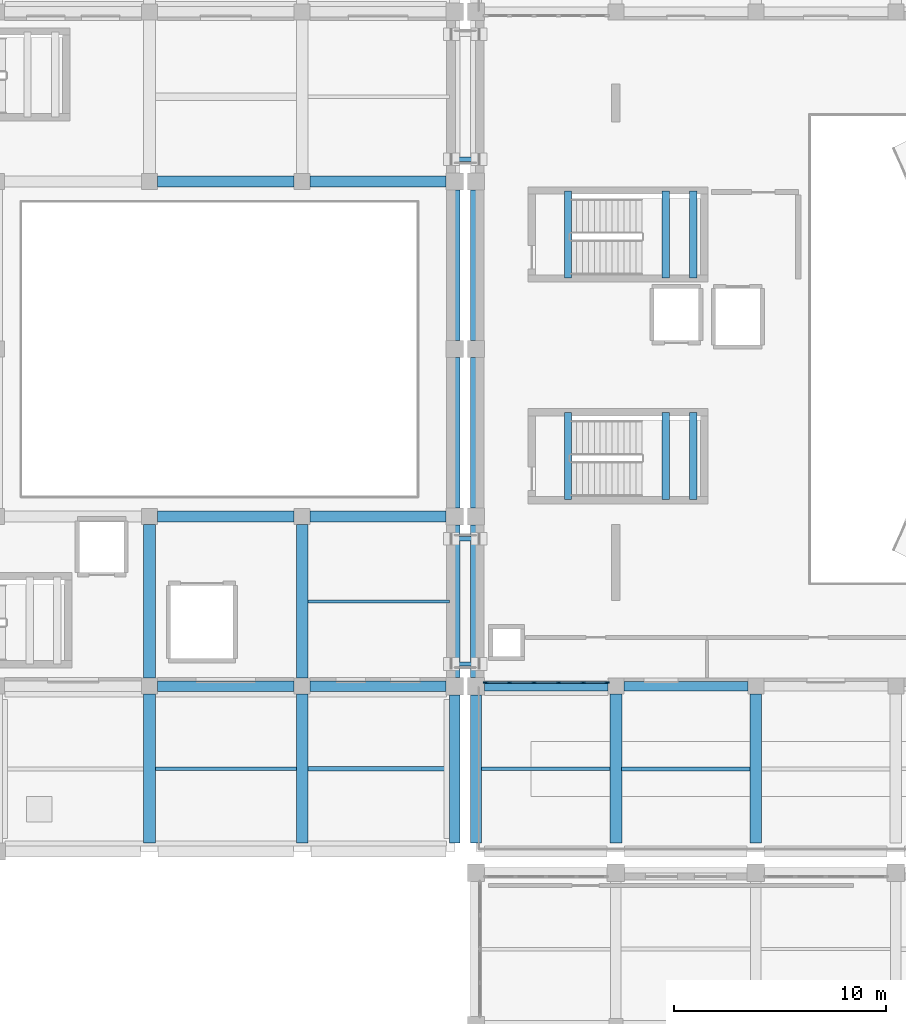
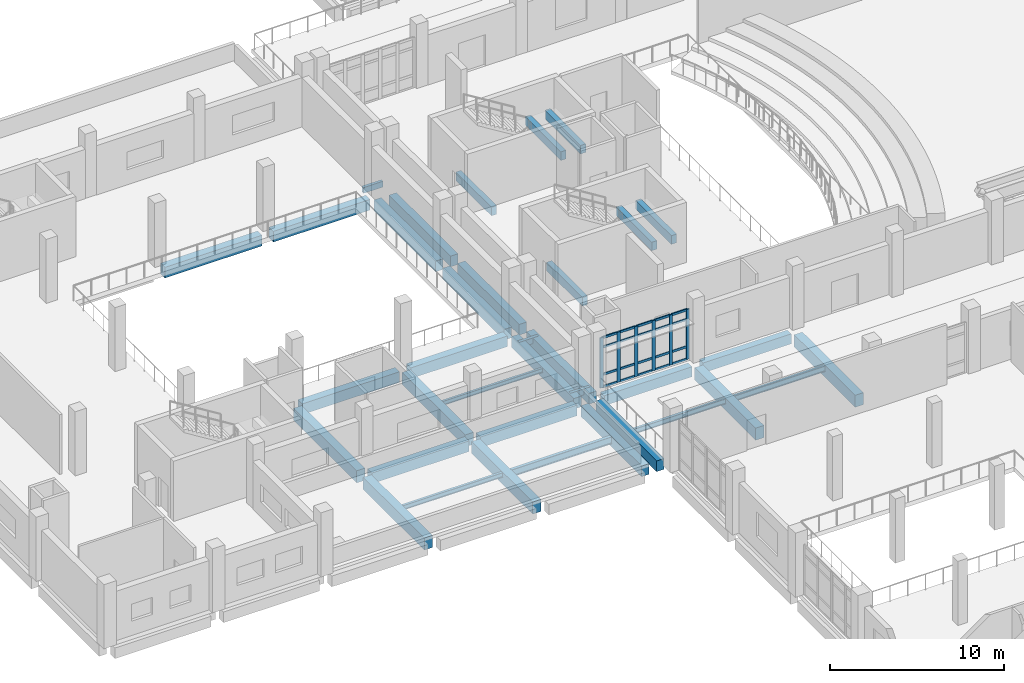
# One storey, part 8 of 54: 36 beams, 26 members, 1 element without a shape of its own.
"""IFC4 building model written with IfcOpenShell, lengths in metres."""

from ifc_helpers import new_model, si_unit, direction, frame, origin, origin_2d, place, context, subcontext, project, spatial, rectangle, hollow_rectangle, i_section, extrude, material, layer, layer_set, material_profile, profile_set, type_object, element, aggregate, save


model = new_model("IFC4")

# Units and contexts
model_context = context("Model", 3, precision=1e-05, world=origin(), true_north=direction((0.0, 1.0)))
body_context = subcontext(model_context, "Body", "Model", "MODEL_VIEW")
ifc_project = project(units=[si_unit("LENGTHUNIT", "METRE"), si_unit("AREAUNIT", "SQUARE_METRE"), si_unit("VOLUMEUNIT", "CUBIC_METRE"), si_unit("PLANEANGLEUNIT", "RADIAN"), si_unit("MASSUNIT", "GRAM", prefix="KILO")], contexts=[model_context])

# Site, building, storey
site_placement = place(None, origin())
site = spatial("IfcSite", under=ifc_project, at=site_placement, CompositionType="ELEMENT")
building_placement = place(site_placement, origin())
building = spatial("IfcBuilding", under=site, at=building_placement, Name="Kelarvand Opera House", CompositionType="ELEMENT")
storey_placement = place(building_placement, frame((0.0, 0.0, 15.0)))
storey = spatial("IfcBuildingStorey", under=building, at=storey_placement, Name="L03", CompositionType="ELEMENT", Elevation=15.0)

# Curtain wall, members
ifc_material_1 = material(Name="Thermally broken aluminium and low-E glazing", Category="aluminium")
ifc_layer = layer(ifc_material_1, 0.219970703125, Name="Thermally broken aluminium and low-E glazing", Category="aluminium")
ifc_layer_set = layer_set([ifc_layer], Name="Thermally broken aluminium and low-E glazing")
curtain_wall_type = type_object("IfcCurtainWallType", Name="Unitised Low-E Curtain Wall 5795x3520 Mod 1150 CWF-08", PredefinedType="USERDEFINED", material=ifc_layer_set)
curtain_wall_placement = place(storey_placement, origin())
curtain_wall = element("IfcCurtainWall", 1, at=curtain_wall_placement, inside=storey, type_object=curtain_wall_type, Name="V1 L03 Curtain Wall CWF-08 (24)", ObjectType="UNITISED CURTAIN WALL", PredefinedType="USERDEFINED")
ifc_material_2 = material(Name="Thermally broken anodised aluminium", Category="aluminium")
ifc_material_profile_1 = material_profile(ifc_material_2, rectangle(XDim=0.074951171875, YDim=0.219970703125, at=origin_2d()), Name="ALU MULLION 75x220", Category="aluminium")
ifc_profile_set_1 = profile_set([ifc_material_profile_1], Name="Thermally broken anodised aluminium")
member_type_1 = type_object("IfcMemberType", Name="Curtain Wall Mullion 75x220 Heavy Plaza", PredefinedType="MULLION", material=ifc_profile_set_1)
member_1_placement = place(storey_placement, frame((95.177490234375, 46.780029296875, 0.0), z_axis=(0.0, 0.0, 1.0), x_axis=(0.0, -1.0, 0.0)))
member_1 = element("IfcMember", 2, at=member_1_placement, type_object=member_type_1, Name="CWF-08 mullion 1", PredefinedType="MULLION", context=body_context, shape_type="SweptSolid", body=[
    extrude(rectangle(XDim=0.074951171875, YDim=0.219970703125, at=origin_2d()), origin(), (0.0, 0.0, 1.0), 3.52001953125),
])
member_2_placement = place(storey_placement, frame((94.055908203125, 46.780029296875, 0.0), z_axis=(0.0, 0.0, 1.0), x_axis=(0.0, -1.0, 0.0)))
member_2 = element("IfcMember", 3, at=member_2_placement, type_object=member_type_1, Name="CWF-08 mullion 2", PredefinedType="MULLION", context=body_context, shape_type="SweptSolid", body=[
    extrude(rectangle(XDim=0.074951171875, YDim=0.219970703125, at=origin_2d()), origin(), (0.0, 0.0, 1.0), 3.52001953125),
])
member_3_placement = place(storey_placement, frame((92.89697265625, 46.780029296875, 0.0), z_axis=(0.0, 0.0, 1.0), x_axis=(0.0, -1.0, 0.0)))
member_3 = element("IfcMember", 4, at=member_3_placement, type_object=member_type_1, Name="CWF-08 mullion 3", PredefinedType="MULLION", context=body_context, shape_type="SweptSolid", body=[
    extrude(rectangle(XDim=0.074951171875, YDim=0.219970703125, at=origin_2d()), origin(), (0.0, 0.0, 1.0), 3.52001953125),
])
member_4_placement = place(storey_placement, frame((91.738037109375, 46.780029296875, 0.0), z_axis=(0.0, 0.0, 1.0), x_axis=(0.0, -1.0, 0.0)))
member_4 = element("IfcMember", 5, at=member_4_placement, type_object=member_type_1, Name="CWF-08 mullion 4", PredefinedType="MULLION", context=body_context, shape_type="SweptSolid", body=[
    extrude(rectangle(XDim=0.074951171875, YDim=0.219970703125, at=origin_2d()), origin(), (0.0, 0.0, 1.0), 3.52001953125),
])
member_5_placement = place(storey_placement, frame((90.5791015625, 46.780029296875, 0.0), z_axis=(0.0, 0.0, 1.0), x_axis=(0.0, -1.0, 0.0)))
member_5 = element("IfcMember", 6, at=member_5_placement, type_object=member_type_1, Name="CWF-08 mullion 5", PredefinedType="MULLION", context=body_context, shape_type="SweptSolid", body=[
    extrude(rectangle(XDim=0.074951171875, YDim=0.219970703125, at=origin_2d()), origin(), (0.0, 0.0, 1.0), 3.52001953125),
])
member_6_placement = place(storey_placement, frame((89.45751953125, 46.780029296875, 0.0), z_axis=(0.0, 0.0, 1.0), x_axis=(0.0, -1.0, 0.0)))
member_6 = element("IfcMember", 7, at=member_6_placement, type_object=member_type_1, Name="CWF-08 mullion 6", PredefinedType="MULLION", context=body_context, shape_type="SweptSolid", body=[
    extrude(rectangle(XDim=0.074951171875, YDim=0.219970703125, at=origin_2d()), origin(), (0.0, 0.0, 1.0), 3.52001953125),
])
ifc_material_profile_2 = material_profile(ifc_material_2, rectangle(XDim=0.074951171875, YDim=0.159912109375, at=origin_2d()), Name="ALU TRANSOM 75x160", Category="aluminium")
ifc_profile_set_2 = profile_set([ifc_material_profile_2], Name="Thermally broken anodised aluminium")
member_type_2 = type_object("IfcMemberType", Name="Curtain Wall Transom 75x160 Heavy Plaza", PredefinedType="USERDEFINED", material=ifc_profile_set_2)
member_7_placement = place(storey_placement, frame((95.139892578125, 46.780029296875, 0.03759765625), z_axis=(-1.0, 0.0, 0.0), x_axis=(0.0, -1.0, 0.0)))
member_7 = element("IfcMember", 8, at=member_7_placement, type_object=member_type_2, Name="CWF-08 transom 1.1", ObjectType="TRANSOM", PredefinedType="USERDEFINED", context=body_context, shape_type="SweptSolid", body=[
    extrude(rectangle(XDim=0.074951171875, YDim=0.159912109375, at=origin_2d()), origin(), (0.0, 0.0, 1.0), 1.04638671875),
])
member_8_placement = place(storey_placement, frame((95.139892578125, 46.780029296875, 0.89990234375), z_axis=(-1.0, 0.0, 0.0), x_axis=(0.0, -1.0, 0.0)))
member_8 = element("IfcMember", 9, at=member_8_placement, type_object=member_type_2, Name="CWF-08 transom 1.2", ObjectType="TRANSOM", PredefinedType="USERDEFINED", context=body_context, shape_type="SweptSolid", body=[
    extrude(rectangle(XDim=0.074951171875, YDim=0.159912109375, at=origin_2d()), origin(), (0.0, 0.0, 1.0), 1.04638671875),
])
member_9_placement = place(storey_placement, frame((95.139892578125, 46.780029296875, 2.820068359375), z_axis=(-1.0, 0.0, 0.0), x_axis=(0.0, -1.0, 0.0)))
member_9 = element("IfcMember", 10, at=member_9_placement, type_object=member_type_2, Name="CWF-08 transom 1.3", ObjectType="TRANSOM", PredefinedType="USERDEFINED", context=body_context, shape_type="SweptSolid", body=[
    extrude(rectangle(XDim=0.074951171875, YDim=0.159912109375, at=origin_2d()), origin(), (0.0, 0.0, 1.0), 1.04638671875),
])
member_10_placement = place(storey_placement, frame((95.139892578125, 46.780029296875, 3.482421875), z_axis=(-1.0, 0.0, 0.0), x_axis=(0.0, -1.0, 0.0)))
member_10 = element("IfcMember", 11, at=member_10_placement, type_object=member_type_2, Name="CWF-08 transom 1.4", ObjectType="TRANSOM", PredefinedType="USERDEFINED", context=body_context, shape_type="SweptSolid", body=[
    extrude(rectangle(XDim=0.074951171875, YDim=0.159912109375, at=origin_2d()), origin(), (0.0, 0.0, 1.0), 1.04638671875),
])
member_11_placement = place(storey_placement, frame((94.0185546875, 46.780029296875, 0.03759765625), z_axis=(-1.0, 0.0, 0.0), x_axis=(0.0, -1.0, 0.0)))
member_11 = element("IfcMember", 12, at=member_11_placement, type_object=member_type_2, Name="CWF-08 transom 2.1", ObjectType="TRANSOM", PredefinedType="USERDEFINED", context=body_context, shape_type="SweptSolid", body=[
    extrude(rectangle(XDim=0.074951171875, YDim=0.159912109375, at=origin_2d()), origin(), (0.0, 0.0, 1.0), 1.083984375),
])
member_12_placement = place(storey_placement, frame((94.0185546875, 46.780029296875, 0.89990234375), z_axis=(-1.0, 0.0, 0.0), x_axis=(0.0, -1.0, 0.0)))
member_12 = element("IfcMember", 13, at=member_12_placement, type_object=member_type_2, Name="CWF-08 transom 2.2", ObjectType="TRANSOM", PredefinedType="USERDEFINED", context=body_context, shape_type="SweptSolid", body=[
    extrude(rectangle(XDim=0.074951171875, YDim=0.159912109375, at=origin_2d()), origin(), (0.0, 0.0, 1.0), 1.083984375),
])
member_13_placement = place(storey_placement, frame((94.0185546875, 46.780029296875, 2.820068359375), z_axis=(-1.0, 0.0, 0.0), x_axis=(0.0, -1.0, 0.0)))
member_13 = element("IfcMember", 14, at=member_13_placement, type_object=member_type_2, Name="CWF-08 transom 2.3", ObjectType="TRANSOM", PredefinedType="USERDEFINED", context=body_context, shape_type="SweptSolid", body=[
    extrude(rectangle(XDim=0.074951171875, YDim=0.159912109375, at=origin_2d()), origin(), (0.0, 0.0, 1.0), 1.083984375),
])
member_14_placement = place(storey_placement, frame((94.0185546875, 46.780029296875, 3.482421875), z_axis=(-1.0, 0.0, 0.0), x_axis=(0.0, -1.0, 0.0)))
member_14 = element("IfcMember", 15, at=member_14_placement, type_object=member_type_2, Name="CWF-08 transom 2.4", ObjectType="TRANSOM", PredefinedType="USERDEFINED", context=body_context, shape_type="SweptSolid", body=[
    extrude(rectangle(XDim=0.074951171875, YDim=0.159912109375, at=origin_2d()), origin(), (0.0, 0.0, 1.0), 1.083984375),
])
member_15_placement = place(storey_placement, frame((92.859619140625, 46.780029296875, 0.03759765625), z_axis=(-1.0, 0.0, 0.0), x_axis=(0.0, -1.0, 0.0)))
member_15 = element("IfcMember", 16, at=member_15_placement, type_object=member_type_2, Name="CWF-08 transom 3.1", ObjectType="TRANSOM", PredefinedType="USERDEFINED", context=body_context, shape_type="SweptSolid", body=[
    extrude(rectangle(XDim=0.074951171875, YDim=0.159912109375, at=origin_2d()), origin(), (0.0, 0.0, 1.0), 1.084228515625),
])
member_16_placement = place(storey_placement, frame((92.859619140625, 46.780029296875, 0.89990234375), z_axis=(-1.0, 0.0, 0.0), x_axis=(0.0, -1.0, 0.0)))
member_16 = element("IfcMember", 17, at=member_16_placement, type_object=member_type_2, Name="CWF-08 transom 3.2", ObjectType="TRANSOM", PredefinedType="USERDEFINED", context=body_context, shape_type="SweptSolid", body=[
    extrude(rectangle(XDim=0.074951171875, YDim=0.159912109375, at=origin_2d()), origin(), (0.0, 0.0, 1.0), 1.084228515625),
])
member_17_placement = place(storey_placement, frame((92.859619140625, 46.780029296875, 2.820068359375), z_axis=(-1.0, 0.0, 0.0), x_axis=(0.0, -1.0, 0.0)))
member_17 = element("IfcMember", 18, at=member_17_placement, type_object=member_type_2, Name="CWF-08 transom 3.3", ObjectType="TRANSOM", PredefinedType="USERDEFINED", context=body_context, shape_type="SweptSolid", body=[
    extrude(rectangle(XDim=0.074951171875, YDim=0.159912109375, at=origin_2d()), origin(), (0.0, 0.0, 1.0), 1.084228515625),
])
member_18_placement = place(storey_placement, frame((92.859619140625, 46.780029296875, 3.482421875), z_axis=(-1.0, 0.0, 0.0), x_axis=(0.0, -1.0, 0.0)))
member_18 = element("IfcMember", 19, at=member_18_placement, type_object=member_type_2, Name="CWF-08 transom 3.4", ObjectType="TRANSOM", PredefinedType="USERDEFINED", context=body_context, shape_type="SweptSolid", body=[
    extrude(rectangle(XDim=0.074951171875, YDim=0.159912109375, at=origin_2d()), origin(), (0.0, 0.0, 1.0), 1.084228515625),
])
member_19_placement = place(storey_placement, frame((91.700439453125, 46.780029296875, 0.03759765625), z_axis=(-1.0, 0.0, 0.0), x_axis=(0.0, -1.0, 0.0)))
member_19 = element("IfcMember", 20, at=member_19_placement, type_object=member_type_2, Name="CWF-08 transom 4.1", ObjectType="TRANSOM", PredefinedType="USERDEFINED", context=body_context, shape_type="SweptSolid", body=[
    extrude(rectangle(XDim=0.074951171875, YDim=0.159912109375, at=origin_2d()), origin(), (0.0, 0.0, 1.0), 1.083984375),
])
member_20_placement = place(storey_placement, frame((91.700439453125, 46.780029296875, 0.89990234375), z_axis=(-1.0, 0.0, 0.0), x_axis=(0.0, -1.0, 0.0)))
member_20 = element("IfcMember", 21, at=member_20_placement, type_object=member_type_2, Name="CWF-08 transom 4.2", ObjectType="TRANSOM", PredefinedType="USERDEFINED", context=body_context, shape_type="SweptSolid", body=[
    extrude(rectangle(XDim=0.074951171875, YDim=0.159912109375, at=origin_2d()), origin(), (0.0, 0.0, 1.0), 1.083984375),
])
member_21_placement = place(storey_placement, frame((91.700439453125, 46.780029296875, 2.820068359375), z_axis=(-1.0, 0.0, 0.0), x_axis=(0.0, -1.0, 0.0)))
member_21 = element("IfcMember", 22, at=member_21_placement, type_object=member_type_2, Name="CWF-08 transom 4.3", ObjectType="TRANSOM", PredefinedType="USERDEFINED", context=body_context, shape_type="SweptSolid", body=[
    extrude(rectangle(XDim=0.074951171875, YDim=0.159912109375, at=origin_2d()), origin(), (0.0, 0.0, 1.0), 1.083984375),
])
member_22_placement = place(storey_placement, frame((91.700439453125, 46.780029296875, 3.482421875), z_axis=(-1.0, 0.0, 0.0), x_axis=(0.0, -1.0, 0.0)))
member_22 = element("IfcMember", 23, at=member_22_placement, type_object=member_type_2, Name="CWF-08 transom 4.4", ObjectType="TRANSOM", PredefinedType="USERDEFINED", context=body_context, shape_type="SweptSolid", body=[
    extrude(rectangle(XDim=0.074951171875, YDim=0.159912109375, at=origin_2d()), origin(), (0.0, 0.0, 1.0), 1.083984375),
])
member_23_placement = place(storey_placement, frame((90.54150390625, 46.780029296875, 0.03759765625), z_axis=(-1.0, 0.0, 0.0), x_axis=(0.0, -1.0, 0.0)))
member_23 = element("IfcMember", 24, at=member_23_placement, type_object=member_type_2, Name="CWF-08 transom 5.1", ObjectType="TRANSOM", PredefinedType="USERDEFINED", context=body_context, shape_type="SweptSolid", body=[
    extrude(rectangle(XDim=0.074951171875, YDim=0.159912109375, at=origin_2d()), origin(), (0.0, 0.0, 1.0), 1.04638671875),
])
member_24_placement = place(storey_placement, frame((90.54150390625, 46.780029296875, 0.89990234375), z_axis=(-1.0, 0.0, 0.0), x_axis=(0.0, -1.0, 0.0)))
member_24 = element("IfcMember", 25, at=member_24_placement, type_object=member_type_2, Name="CWF-08 transom 5.2", ObjectType="TRANSOM", PredefinedType="USERDEFINED", context=body_context, shape_type="SweptSolid", body=[
    extrude(rectangle(XDim=0.074951171875, YDim=0.159912109375, at=origin_2d()), origin(), (0.0, 0.0, 1.0), 1.04638671875),
])
member_25_placement = place(storey_placement, frame((90.54150390625, 46.780029296875, 2.820068359375), z_axis=(-1.0, 0.0, 0.0), x_axis=(0.0, -1.0, 0.0)))
member_25 = element("IfcMember", 26, at=member_25_placement, type_object=member_type_2, Name="CWF-08 transom 5.3", ObjectType="TRANSOM", PredefinedType="USERDEFINED", context=body_context, shape_type="SweptSolid", body=[
    extrude(rectangle(XDim=0.074951171875, YDim=0.159912109375, at=origin_2d()), origin(), (0.0, 0.0, 1.0), 1.04638671875),
])
member_26_placement = place(storey_placement, frame((90.54150390625, 46.780029296875, 3.482421875), z_axis=(-1.0, 0.0, 0.0), x_axis=(0.0, -1.0, 0.0)))
member_26 = element("IfcMember", 27, at=member_26_placement, type_object=member_type_2, Name="CWF-08 transom 5.4", ObjectType="TRANSOM", PredefinedType="USERDEFINED", context=body_context, shape_type="SweptSolid", body=[
    extrude(rectangle(XDim=0.074951171875, YDim=0.159912109375, at=origin_2d()), origin(), (0.0, 0.0, 1.0), 1.04638671875),
])
aggregate(curtain_wall, [member_1, member_2, member_3, member_4, member_5, member_6, member_7, member_8, member_9, member_10, member_11, member_12, member_13, member_14, member_15, member_16, member_17, member_18, member_19, member_20, member_21, member_22, member_23, member_24, member_25, member_26])

# Beams
ifc_material_3 = material(Name="Concrete C35/45", Category="concrete")
ifc_material_profile_3 = material_profile(ifc_material_3, rectangle(XDim=0.35009765625, YDim=0.60009765625, at=origin_2d()), Name="RC 350x600", Category="concrete")
ifc_profile_set_3 = profile_set([ifc_material_profile_3], Name="Concrete C35/45")
beam_type_1 = type_object("IfcBeamType", Name="Structural Beam RC 350x600 BM-RC350x600", PredefinedType="BEAM", material=ifc_profile_set_3)
for number, where, z_axis, x_axis, name in (
    (28, (93.340087890625, 65.85009765625, -0.52001953125), (0.0, 1.0, 0.0), (-1.0, 0.0, 0.0), "C1 Stair Landing Support Beam L03"),
    (29, (97.949951171875, 65.85009765625, 1.75), (0.0, 1.0, 0.0), (-1.0, 0.0, 0.0), "C1 Stair Half-Landing Beam 1 L03"),
    (30, (99.25, 65.85009765625, 1.75), (0.0, 1.0, 0.0), (-1.0, 0.0, 0.0), "C1 Stair Half-Landing Beam 2 L03"),
):
    element("IfcBeam", number, at=place(storey_placement, frame(where, z_axis=z_axis, x_axis=x_axis)), inside=storey, type_object=beam_type_1, Name=name, PredefinedType="BEAM", context=body_context, shape_type="SweptSolid", body=[
        extrude(rectangle(XDim=0.35009765625, YDim=0.60009765625, at=origin_2d()), origin(), (0.0, 0.0, 1.0), 4.099853515625),
    ])
for number, where, z_axis, x_axis, name in (
    (31, (93.340087890625, 55.39990234375, -0.52001953125), (0.0, 1.0, 0.0), (-1.0, 0.0, 0.0), "C4 Stair Landing Support Beam L03"),
    (32, (97.949951171875, 55.39990234375, 1.75), (0.0, 1.0, 0.0), (-1.0, 0.0, 0.0), "C4 Stair Half-Landing Beam 1 L03"),
    (33, (99.25, 55.39990234375, 1.75), (0.0, 1.0, 0.0), (-1.0, 0.0, 0.0), "C4 Stair Half-Landing Beam 2 L03"),
):
    element("IfcBeam", number, at=place(storey_placement, frame(where, z_axis=z_axis, x_axis=x_axis)), inside=storey, type_object=beam_type_1, Name=name, PredefinedType="BEAM", context=body_context, shape_type="SweptSolid", body=[
        extrude(rectangle(XDim=0.35009765625, YDim=0.60009765625, at=origin_2d()), origin(), (0.0, 0.0, 1.0), 4.10009765625),
    ])
ifc_material_4 = material(Name="Concrete C40/50", Category="concrete")
ifc_material_profile_4 = material_profile(ifc_material_4, rectangle(XDim=0.449951171875, YDim=0.699951171875, at=origin_2d()), Name="RC 450x700", Category="concrete")
ifc_profile_set_4 = profile_set([ifc_material_profile_4], Name="Concrete C40/50")
beam_type_2 = type_object("IfcBeamType", Name="Structural Beam RC 450x700 BM-RC450x700", PredefinedType="BEAM", material=ifc_profile_set_4)
beam_1_placement = place(storey_placement, frame((89.409912109375, 46.60009765625, -0.669921875), z_axis=(1.0, 0.0, 0.0), x_axis=(0.0, 1.0, 0.0)))
element("IfcBeam", 34, at=beam_1_placement, inside=storey, type_object=beam_type_2, Name="V1 L03 Beam BM-RC450x700", PredefinedType="BEAM", context=body_context, shape_type="SweptSolid", body=[
    extrude(rectangle(XDim=0.449951171875, YDim=0.699951171875, at=origin_2d()), origin(), (0.0, 0.0, 1.0), 5.815185546875),
])
beam_2_placement = place(storey_placement, frame((95.97509765625, 46.60009765625, -0.669921875), z_axis=(1.0, 0.0, 0.0), x_axis=(0.0, 1.0, 0.0)))
element("IfcBeam", 35, at=beam_2_placement, inside=storey, type_object=beam_type_2, Name="V1 L03 Beam BM-RC450x700", PredefinedType="BEAM", context=body_context, shape_type="SweptSolid", body=[
    extrude(rectangle(XDim=0.449951171875, YDim=0.699951171875, at=origin_2d()), origin(), (0.0, 0.0, 1.0), 5.849853515625),
])
ifc_material_profile_5 = material_profile(ifc_material_4, rectangle(XDim=0.5, YDim=0.75, at=origin_2d()), Name="RC 500x750", Category="concrete")
ifc_profile_set_5 = profile_set([ifc_material_profile_5], Name="Concrete C40/50")
beam_type_3 = type_object("IfcBeamType", Name="Structural Beam RC 500x750 BM-RC500x750", PredefinedType="BEAM", material=ifc_profile_set_5)
beam_3_placement = place(storey_placement, frame((73.97509765625, 46.60009765625, -0.695068359375), z_axis=(1.0, 0.0, 0.0), x_axis=(0.0, 1.0, 0.0)))
element("IfcBeam", 36, at=beam_3_placement, inside=storey, type_object=beam_type_3, Name="V2 L03 Beam BM-RC500x750", PredefinedType="BEAM", context=body_context, shape_type="SweptSolid", body=[
    extrude(rectangle(XDim=0.5, YDim=0.75, at=origin_2d()), origin(), (0.0, 0.0, 1.0), 6.449951171875),
])
beam_4_placement = place(storey_placement, frame((81.175048828125, 46.60009765625, -0.695068359375), z_axis=(1.0, 0.0, 0.0), x_axis=(0.0, 1.0, 0.0)))
element("IfcBeam", 37, at=beam_4_placement, inside=storey, type_object=beam_type_3, Name="V2 L03 Beam BM-RC500x750", PredefinedType="BEAM", context=body_context, shape_type="SweptSolid", body=[
    extrude(rectangle(XDim=0.5, YDim=0.75, at=origin_2d()), origin(), (0.0, 0.0, 1.0), 6.4150390625),
])
beam_5_placement = place(storey_placement, frame((73.97509765625, 54.60009765625, -0.695068359375), z_axis=(1.0, 0.0, 0.0), x_axis=(0.0, 1.0, 0.0)))
element("IfcBeam", 38, at=beam_5_placement, inside=storey, type_object=beam_type_3, Name="V2 L03 Beam BM-RC500x750", PredefinedType="BEAM", context=body_context, shape_type="SweptSolid", body=[
    extrude(rectangle(XDim=0.5, YDim=0.75, at=origin_2d()), origin(), (0.0, 0.0, 1.0), 6.449951171875),
])
beam_6_placement = place(storey_placement, frame((81.175048828125, 54.60009765625, -0.695068359375), z_axis=(1.0, 0.0, 0.0), x_axis=(0.0, 1.0, 0.0)))
element("IfcBeam", 39, at=beam_6_placement, inside=storey, type_object=beam_type_3, Name="V2 L03 Beam BM-RC500x750", PredefinedType="BEAM", context=body_context, shape_type="SweptSolid", body=[
    extrude(rectangle(XDim=0.5, YDim=0.75, at=origin_2d()), origin(), (0.0, 0.0, 1.0), 6.4150390625),
])
beam_7_placement = place(storey_placement, frame((73.97509765625, 70.39990234375, -0.695068359375), z_axis=(1.0, 0.0, 0.0), x_axis=(0.0, 1.0, 0.0)))
element("IfcBeam", 40, at=beam_7_placement, inside=storey, type_object=beam_type_3, Name="V2 L03 Beam BM-RC500x750", PredefinedType="BEAM", context=body_context, shape_type="SweptSolid", body=[
    extrude(rectangle(XDim=0.5, YDim=0.75, at=origin_2d()), origin(), (0.0, 0.0, 1.0), 6.449951171875),
])
beam_8_placement = place(storey_placement, frame((81.175048828125, 70.39990234375, -0.695068359375), z_axis=(1.0, 0.0, 0.0), x_axis=(0.0, 1.0, 0.0)))
element("IfcBeam", 41, at=beam_8_placement, inside=storey, type_object=beam_type_3, Name="V2 L03 Beam BM-RC500x750", PredefinedType="BEAM", context=body_context, shape_type="SweptSolid", body=[
    extrude(rectangle(XDim=0.5, YDim=0.75, at=origin_2d()), origin(), (0.0, 0.0, 1.0), 6.4150390625),
])
ifc_material_profile_6 = material_profile(ifc_material_4, rectangle(XDim=0.550048828125, YDim=0.85009765625, at=origin_2d()), Name="RC 550x850", Category="concrete")
ifc_profile_set_6 = profile_set([ifc_material_profile_6], Name="Concrete C40/50")
beam_type_4 = type_object("IfcBeamType", Name="Structural Beam RC 550x850 BM-RC550x850", PredefinedType="BEAM", material=ifc_profile_set_6)
for number, where, z_axis, x_axis, name in (
    (42, (95.60009765625, 39.2099609375, -0.7451171875), (0.0, 1.0, 0.0), (-1.0, 0.0, 0.0), "V1 L03 Beam BM-RC550x850"),
    (43, (102.199951171875, 39.2099609375, -0.7451171875), (0.0, 1.0, 0.0), (-1.0, 0.0, 0.0), "V1 L03 Beam BM-RC550x850"),
    (44, (73.60009765625, 39.2099609375, -0.7451171875), (0.0, 1.0, 0.0), (-1.0, 0.0, 0.0), "V2 L03 Beam BM-RC550x850"),
):
    element("IfcBeam", number, at=place(storey_placement, frame(where, z_axis=z_axis, x_axis=x_axis)), inside=storey, type_object=beam_type_4, Name=name, PredefinedType="BEAM", context=body_context, shape_type="SweptSolid", body=[
        extrude(rectangle(XDim=0.550048828125, YDim=0.85009765625, at=origin_2d()), origin(), (0.0, 0.0, 1.0), 7.01513671875),
    ])
beam_9_placement = place(storey_placement, frame((73.60009765625, 46.97509765625, -0.7451171875), z_axis=(0.0, 1.0, 0.0), x_axis=(-1.0, 0.0, 0.0)))
element("IfcBeam", 45, at=beam_9_placement, inside=storey, type_object=beam_type_4, Name="V2 L03 Beam BM-RC550x850", PredefinedType="BEAM", context=body_context, shape_type="SweptSolid", body=[
    extrude(rectangle(XDim=0.550048828125, YDim=0.85009765625, at=origin_2d()), origin(), (0.0, 0.0, 1.0), 7.25),
])
beam_10_placement = place(storey_placement, frame((80.800048828125, 39.2099609375, -0.7451171875), z_axis=(0.0, 1.0, 0.0), x_axis=(-1.0, 0.0, 0.0)))
element("IfcBeam", 46, at=beam_10_placement, inside=storey, type_object=beam_type_4, Name="V2 L03 Beam BM-RC550x850", PredefinedType="BEAM", context=body_context, shape_type="SweptSolid", body=[
    extrude(rectangle(XDim=0.550048828125, YDim=0.85009765625, at=origin_2d()), origin(), (0.0, 0.0, 1.0), 7.01513671875),
])
beam_11_placement = place(storey_placement, frame((80.800048828125, 46.97509765625, -0.7451171875), z_axis=(0.0, 1.0, 0.0), x_axis=(-1.0, 0.0, 0.0)))
element("IfcBeam", 47, at=beam_11_placement, inside=storey, type_object=beam_type_4, Name="V2 L03 Beam BM-RC550x850", PredefinedType="BEAM", context=body_context, shape_type="SweptSolid", body=[
    extrude(rectangle(XDim=0.550048828125, YDim=0.85009765625, at=origin_2d()), origin(), (0.0, 0.0, 1.0), 7.25),
])
ifc_material_5 = material(Name="Steel S355", Category="steel")
ifc_material_profile_7 = material_profile(ifc_material_5, hollow_rectangle(XDim=0.199951171875, YDim=0.39990234375, WallThickness=0.01611328125, at=origin_2d()), Name="RHS 400x200x16.0", Category="steel")
ifc_profile_set_7 = profile_set([ifc_material_profile_7], Name="Steel S355")
beam_type_5 = type_object("IfcBeamType", Name="Structural Beam RHS 400x200x16.0 BM-RHS400", PredefinedType="BEAM", material=ifc_profile_set_7)
for number, where, z_axis, x_axis, name in (
    (48, (87.85009765625, 71.449951171875, -0.52001953125), (1.0, 0.0, 0.0), (0.0, 1.0, 0.0), "Seismic Sliding Corbel Beam BR-JP-N L03 1"),
    (49, (87.85009765625, 47.64990234375, -0.52001953125), (1.0, 0.0, 0.0), (0.0, 1.0, 0.0), "Seismic Sliding Corbel Beam BR-JP-S L03 1"),
    (50, (87.85009765625, 53.550048828125, -0.52001953125), (1.0, 0.0, 0.0), (0.0, 1.0, 0.0), "Seismic Sliding Corbel Beam BR-JP-S L03 2"),
):
    element("IfcBeam", number, at=place(storey_placement, frame(where, z_axis=z_axis, x_axis=x_axis)), inside=storey, type_object=beam_type_5, Name=name, PredefinedType="BEAM", context=body_context, shape_type="SweptSolid", body=[
        extrude(hollow_rectangle(XDim=0.199951171875, YDim=0.39990234375, WallThickness=0.01611328125, at=origin_2d()), origin(), (0.0, 0.0, 1.0), 1.2998046875),
    ])
ifc_material_profile_8 = material_profile(ifc_material_5, i_section(OverallWidth=0.14990234375, OverallDepth=0.300048828125, WebThickness=0.007080078125, FlangeThickness=0.0107421875, at=origin_2d()), Name="IPE 300", Category="steel")
ifc_profile_set_8 = profile_set([ifc_material_profile_8], Name="Steel S355")
beam_type_6 = type_object("IfcBeamType", Name="Structural Joist IPE 300 JS-IPE300", PredefinedType="JOIST", material=ifc_profile_set_8)
beam_12_placement = place(storey_placement, frame((81.074951171875, 50.60009765625, -0.469970703125), z_axis=(1.0, 0.0, 0.0), x_axis=(0.0, 1.0, 0.0)))
element("IfcBeam", 51, at=beam_12_placement, inside=storey, type_object=beam_type_6, Name="V2 L03 Beam JS-IPE300", PredefinedType="JOIST", context=body_context, shape_type="SweptSolid", body=[
    extrude(i_section(OverallWidth=0.14990234375, OverallDepth=0.300048828125, WebThickness=0.007080078125, FlangeThickness=0.0107421875, at=origin_2d()), origin(), (0.0, 0.0, 1.0), 6.675048828125),
])
ifc_material_profile_9 = material_profile(ifc_material_5, i_section(OverallWidth=0.159912109375, OverallDepth=0.330078125, WebThickness=0.007568359375, FlangeThickness=0.011474609375, at=origin_2d()), Name="IPE 330", Category="steel")
ifc_profile_set_9 = profile_set([ifc_material_profile_9], Name="Steel S355")
beam_type_7 = type_object("IfcBeamType", Name="Structural Joist IPE 330 JS-IPE330", PredefinedType="JOIST", material=ifc_profile_set_9)
beam_13_placement = place(storey_placement, frame((73.875, 42.699951171875, -0.485107421875), z_axis=(1.0, 0.0, 0.0), x_axis=(0.0, 1.0, 0.0)))
element("IfcBeam", 52, at=beam_13_placement, inside=storey, type_object=beam_type_7, Name="V2 L03 Beam JS-IPE330", PredefinedType="JOIST", context=body_context, shape_type="SweptSolid", body=[
    extrude(i_section(OverallWidth=0.159912109375, OverallDepth=0.330078125, WebThickness=0.007568359375, FlangeThickness=0.011474609375, at=origin_2d()), origin(), (0.0, 0.0, 1.0), 6.64990234375),
])
ifc_material_profile_10 = material_profile(ifc_material_5, i_section(OverallWidth=0.169921875, OverallDepth=0.360107421875, WebThickness=0.008056640625, FlangeThickness=0.0126953125, at=origin_2d()), Name="IPE 360", Category="steel")
ifc_profile_set_10 = profile_set([ifc_material_profile_10], Name="Steel S355")
beam_type_8 = type_object("IfcBeamType", Name="Structural Joist IPE 360 JS-IPE360", PredefinedType="JOIST", material=ifc_profile_set_10)
beam_14_placement = place(storey_placement, frame((89.25, 42.699951171875, -0.5), z_axis=(1.0, 0.0, 0.0), x_axis=(0.0, 1.0, 0.0)))
element("IfcBeam", 53, at=beam_14_placement, inside=storey, type_object=beam_type_8, Name="V1 L03 Beam JS-IPE360", PredefinedType="JOIST", context=body_context, shape_type="SweptSolid", body=[
    extrude(i_section(OverallWidth=0.169921875, OverallDepth=0.360107421875, WebThickness=0.008056640625, FlangeThickness=0.0126953125, at=origin_2d()), origin(), (0.0, 0.0, 1.0), 6.074951171875),
])
ifc_material_profile_11 = material_profile(ifc_material_5, i_section(OverallWidth=0.179931640625, OverallDepth=0.39990234375, WebThickness=0.008544921875, FlangeThickness=0.013427734375, at=origin_2d()), Name="IPE 400", Category="steel")
ifc_profile_set_11 = profile_set([ifc_material_profile_11], Name="Steel S355")
beam_type_9 = type_object("IfcBeamType", Name="Structural Joist IPE 400 JS-IPE400", PredefinedType="JOIST", material=ifc_profile_set_11)
beam_15_placement = place(storey_placement, frame((95.875, 42.699951171875, -0.52001953125), z_axis=(1.0, 0.0, 0.0), x_axis=(0.0, 1.0, 0.0)))
element("IfcBeam", 54, at=beam_15_placement, inside=storey, type_object=beam_type_9, Name="V1 L03 Beam JS-IPE400", PredefinedType="JOIST", context=body_context, shape_type="SweptSolid", body=[
    extrude(i_section(OverallWidth=0.179931640625, OverallDepth=0.39990234375, WebThickness=0.008544921875, FlangeThickness=0.013427734375, at=origin_2d()), origin(), (0.0, 0.0, 1.0), 6.050048828125),
])
ifc_material_profile_12 = material_profile(ifc_material_5, i_section(OverallWidth=0.199951171875, OverallDepth=0.5, WebThickness=0.01025390625, FlangeThickness=0.01611328125, at=origin_2d()), Name="IPE 500", Category="steel")
ifc_profile_set_12 = profile_set([ifc_material_profile_12], Name="Steel S355")
beam_type_10 = type_object("IfcBeamType", Name="Structural Joist IPE 500 JS-IPE500", PredefinedType="JOIST", material=ifc_profile_set_12)
beam_16_placement = place(storey_placement, frame((81.074951171875, 42.699951171875, -0.570068359375), z_axis=(1.0, 0.0, 0.0), x_axis=(0.0, 1.0, 0.0)))
element("IfcBeam", 55, at=beam_16_placement, inside=storey, type_object=beam_type_10, Name="V2 L03 Beam JS-IPE500", PredefinedType="JOIST", context=body_context, shape_type="SweptSolid", body=[
    extrude(i_section(OverallWidth=0.199951171875, OverallDepth=0.5, WebThickness=0.01025390625, FlangeThickness=0.01611328125, at=origin_2d()), origin(), (0.0, 0.0, 1.0), 6.675048828125),
])
ifc_material_profile_13 = material_profile(ifc_material_4, rectangle(XDim=0.5, YDim=0.75, at=origin_2d()), Name="RC 500x750", Category="concrete")
ifc_profile_set_13 = profile_set([ifc_material_profile_13], Name="Concrete C40/50")
beam_type_11 = type_object("IfcBeamType", Name="Structural Spandrel RC 500x750 SP-RC500x750E", PredefinedType="SPANDREL", material=ifc_profile_set_13)
beam_17_placement = place(storey_placement, frame((89.0, 39.2099609375, -0.695068359375), z_axis=(0.0, 1.0, 0.0), x_axis=(-1.0, 0.0, 0.0)))
element("IfcBeam", 56, at=beam_17_placement, inside=storey, type_object=beam_type_11, Name="V1 L03 Beam SP-RC500x750E", PredefinedType="SPANDREL", context=body_context, shape_type="SweptSolid", body=[
    extrude(rectangle(XDim=0.5, YDim=0.75, at=origin_2d()), origin(), (0.0, 0.0, 1.0), 6.97998046875),
])
beam_18_placement = place(storey_placement, frame((89.0, 47.010009765625, -0.695068359375), z_axis=(0.0, 1.0, 0.0), x_axis=(-1.0, 0.0, 0.0)))
element("IfcBeam", 57, at=beam_18_placement, inside=storey, type_object=beam_type_11, Name="V1 L03 Beam SP-RC500x750E", PredefinedType="SPANDREL", context=body_context, shape_type="SweptSolid", body=[
    extrude(rectangle(XDim=0.5, YDim=0.75, at=origin_2d()), origin(), (0.0, 0.0, 1.0), 7.179931640625),
])
for number, where, z_axis, x_axis, name in (
    (58, (89.0, 55.010009765625, -0.695068359375), (0.0, 1.0, 0.0), (-1.0, 0.0, 0.0), "V1 L03 Beam SP-RC500x750E"),
    (59, (89.0, 62.909912109375, -0.695068359375), (0.0, 1.0, 0.0), (-1.0, 0.0, 0.0), "V1 L03 Beam SP-RC500x750E"),
):
    element("IfcBeam", number, at=place(storey_placement, frame(where, z_axis=z_axis, x_axis=x_axis)), inside=storey, type_object=beam_type_11, Name=name, PredefinedType="SPANDREL", context=body_context, shape_type="SweptSolid", body=[
        extrude(rectangle(XDim=0.5, YDim=0.75, at=origin_2d()), origin(), (0.0, 0.0, 1.0), 7.080078125),
    ])
beam_19_placement = place(storey_placement, frame((88.0, 39.2099609375, -0.695068359375), z_axis=(0.0, 1.0, 0.0), x_axis=(-1.0, 0.0, 0.0)))
element("IfcBeam", 60, at=beam_19_placement, inside=storey, type_object=beam_type_11, Name="V2 L03 Beam SP-RC500x750E", PredefinedType="SPANDREL", context=body_context, shape_type="SweptSolid", body=[
    extrude(rectangle(XDim=0.5, YDim=0.75, at=origin_2d()), origin(), (0.0, 0.0, 1.0), 6.97998046875),
])
beam_20_placement = place(storey_placement, frame((88.0, 47.010009765625, -0.695068359375), z_axis=(0.0, 1.0, 0.0), x_axis=(-1.0, 0.0, 0.0)))
element("IfcBeam", 61, at=beam_20_placement, inside=storey, type_object=beam_type_11, Name="V2 L03 Beam SP-RC500x750E", PredefinedType="SPANDREL", context=body_context, shape_type="SweptSolid", body=[
    extrude(rectangle(XDim=0.5, YDim=0.75, at=origin_2d()), origin(), (0.0, 0.0, 1.0), 7.179931640625),
])
for number, where, z_axis, x_axis, name in (
    (62, (88.0, 55.010009765625, -0.695068359375), (0.0, 1.0, 0.0), (-1.0, 0.0, 0.0), "V2 L03 Beam SP-RC500x750E"),
    (63, (88.0, 62.909912109375, -0.695068359375), (0.0, 1.0, 0.0), (-1.0, 0.0, 0.0), "V2 L03 Beam SP-RC500x750E"),
):
    element("IfcBeam", number, at=place(storey_placement, frame(where, z_axis=z_axis, x_axis=x_axis)), inside=storey, type_object=beam_type_11, Name=name, PredefinedType="SPANDREL", context=body_context, shape_type="SweptSolid", body=[
        extrude(rectangle(XDim=0.5, YDim=0.75, at=origin_2d()), origin(), (0.0, 0.0, 1.0), 7.080078125),
    ])

save(model, "model.ifc")
